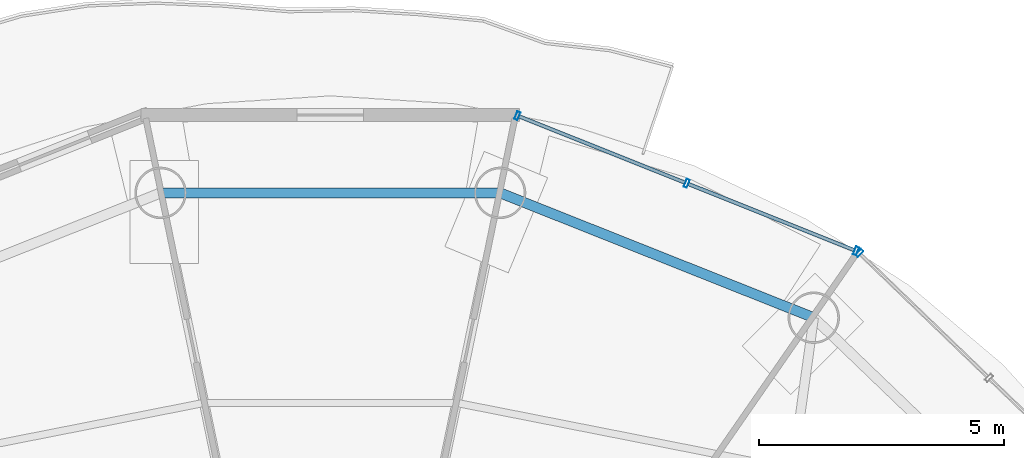
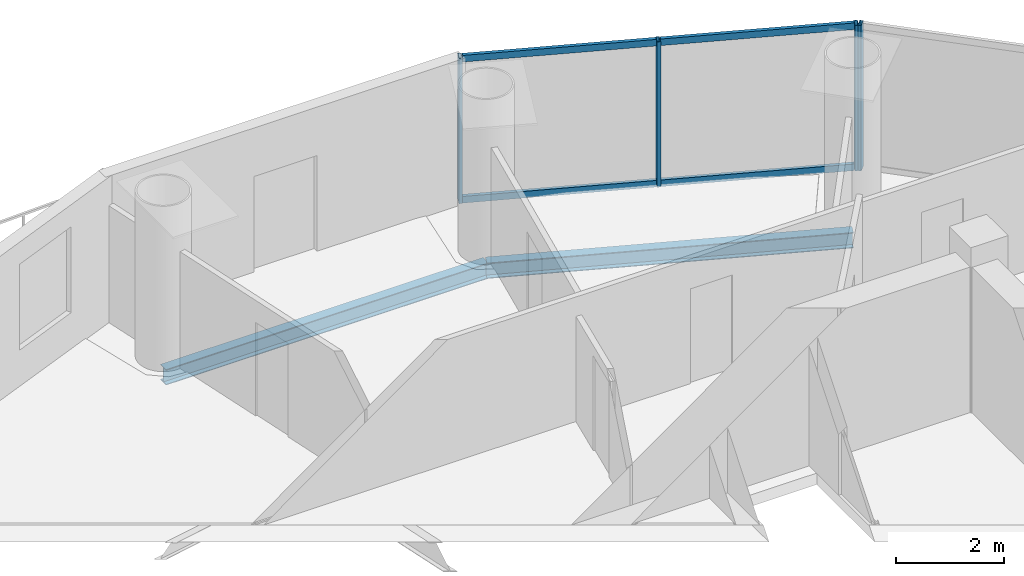
# One storey, part 15 of 23: 8 members, 2 beams, 2 elements without a shape of their own.
"""IFC4 building model written with IfcOpenShell, lengths in metres."""

import ifcopenshell
import ifcopenshell.guid

model = None  # the IFC model being written
_history = None  # IfcOwnerHistory: only IFC2X3 demands one
_inside = {}  # id of a spatial element -> (the spatial element, [elements in it])
_under = {}  # id of a project, library or spatial element -> (it, [spatial elements below it])
_declared = {}  # id of a project -> (the project, [libraries it declares])
_typed = {}  # id of a type object -> (the type object, [elements of that type])
_made_of = {}  # id of a material, layer set ... -> (it, [elements and type objects made of it])


def new_model(schema):
    """Start an empty IFC model of exactly this schema.

    Asked for "IFC4X3", IfcOpenShell would pick the latest addendum, in which some entities
    have other attributes; the version numbers below select the first issue.
    IFC2X3 requires an IfcOwnerHistory on every rooted entity: one is made here for all.
    """
    global model, _history
    if schema == "IFC4X3":
        model = ifcopenshell.file(schema_version=(4, 3, 0, 0))
    else:
        model = ifcopenshell.file(schema=schema)
    _inside.clear()
    _under.clear()
    _declared.clear()
    _typed.clear()
    _made_of.clear()
    _history = None
    if model.schema == "IFC2X3":
        org = make("IfcOrganization", Name="unknown")
        user = make(
            "IfcPersonAndOrganization",
            ThePerson=make("IfcPerson", FamilyName="unknown"),
            TheOrganization=org,
        )
        app = make(
            "IfcApplication",
            ApplicationDeveloper=org,
            Version="unknown",
            ApplicationFullName="unknown",
            ApplicationIdentifier="unknown",
        )
        _history = make(
            "IfcOwnerHistory",
            OwningUser=user,
            OwningApplication=app,
            ChangeAction="ADDED",
            CreationDate=0,
        )
    return model


def make(cls, **values):
    """One entity of the class cls with the attributes given. An attribute that is None is left unset."""
    return model.create_entity(
        cls, **{name: value for name, value in values.items() if value is not None}
    )


def rooted(cls, **values):
    """An entity with a GlobalId (a new one), such as an element, a storey or a relation."""
    return make(cls, GlobalId=ifcopenshell.guid.new(), OwnerHistory=_history, **values)


def si_unit(unit_type, name, prefix=None):
    """IfcSIUnit, for example si_unit("LENGTHUNIT", "METRE", prefix="MILLI")."""
    return make("IfcSIUnit", UnitType=unit_type, Prefix=prefix, Name=name)


def assignment(units):
    """IfcUnitAssignment: the units of a project."""
    return None if units is None else make("IfcUnitAssignment", Units=units)


def point(xyz):
    """IfcCartesianPoint."""
    return None if xyz is None else make("IfcCartesianPoint", Coordinates=xyz)


def direction(xyz):
    """IfcDirection."""
    return None if xyz is None else make("IfcDirection", DirectionRatios=xyz)


def frame(location, z_axis=None, x_axis=None):
    """IfcAxis2Placement3D, a coordinate frame: its origin and axes. An axis left out is left unset."""
    return make(
        "IfcAxis2Placement3D",
        Location=point(location),
        Axis=direction(z_axis),
        RefDirection=direction(x_axis),
    )


def frame_2d(location, x_axis=None):
    """IfcAxis2Placement2D, a coordinate frame in the plane: its origin and x axis."""
    return make(
        "IfcAxis2Placement2D", Location=point(location), RefDirection=direction(x_axis)
    )


def origin():
    """The frame at (0, 0, 0) with its axes left unset."""
    return frame((0.0, 0.0, 0.0))


def origin_2d():
    """The frame at (0, 0) in the plane with its x axis left unset."""
    return frame_2d((0.0, 0.0))


def place(relative_to, where):
    """IfcLocalPlacement: puts the frame where relative to a parent placement (None: the world)."""
    return make(
        "IfcLocalPlacement", PlacementRelTo=relative_to, RelativePlacement=where
    )


def context(
    kind, dimensions, precision=None, world=None, true_north=None, identifier=None
):
    """IfcGeometricRepresentationContext, for example the 3D "Model" context."""
    return make(
        "IfcGeometricRepresentationContext",
        ContextIdentifier=identifier,
        ContextType=kind,
        CoordinateSpaceDimension=dimensions,
        Precision=precision,
        WorldCoordinateSystem=world,
        TrueNorth=true_north,
    )


def subcontext(parent, identifier, kind, view, scale=None):
    """IfcGeometricRepresentationSubContext, for example "Body" below "Model"."""
    return make(
        "IfcGeometricRepresentationSubContext",
        ContextIdentifier=identifier,
        ContextType=kind,
        ParentContext=parent,
        TargetScale=scale,
        TargetView=view,
    )


def project(units=None, contexts=None):
    """IfcProject with its units and contexts."""
    return rooted(
        "IfcProject",
        Name="project",
        RepresentationContexts=contexts,
        UnitsInContext=assignment(units),
    )


def spatial(cls, under=None, at=None, **own):
    """A site, building, storey or space (cls), placed at a placement, below another one or the project."""
    s = rooted(cls, ObjectPlacement=at, **own)
    if under is not None:
        _under.setdefault(under.id(), (under, []))[1].append(s)
    return s


def profile(cls, at=None, kind="AREA", **sizes):
    """A parametric profile (cls). Its sizes go by their IFC names, for example OverallWidth=200.0."""
    return make(cls, ProfileType=kind, Position=at, **sizes)


def hollow_rectangle(**sizes):
    """IfcRectangleHollowProfileDef."""
    return profile("IfcRectangleHollowProfileDef", **sizes)


def i_section(**sizes):
    """IfcIShapeProfileDef."""
    return profile("IfcIShapeProfileDef", **sizes)


def extrude(swept, where, along, depth):
    """IfcExtrudedAreaSolid: the profile swept, set in the frame where, extruded along a direction by depth."""
    return make(
        "IfcExtrudedAreaSolid",
        SweptArea=swept,
        Position=where,
        ExtrudedDirection=direction(along),
        Depth=depth,
    )


def shape(context_of_items, identifier, shape_type, items):
    """IfcShapeRepresentation: the items that make up one representation, for example the "Body"."""
    return make(
        "IfcShapeRepresentation",
        ContextOfItems=context_of_items,
        RepresentationIdentifier=identifier,
        RepresentationType=shape_type,
        Items=items,
    )


def source(mapping_origin, context_of_items, identifier, shape_type, items):
    """IfcRepresentationMap: a shape defined once, which mapped items show again and again."""
    return make(
        "IfcRepresentationMap",
        MappingOrigin=mapping_origin,
        MappedRepresentation=shape(context_of_items, identifier, shape_type, items),
    )


def transform(
    local_origin,
    x_axis=None,
    y_axis=None,
    z_axis=None,
    scale=None,
    scale2=None,
    scale3=None,
    uniform=True,
):
    """IfcCartesianTransformationOperator3D, or its non-uniform kind. x_axis, y_axis, z_axis: its Axis1, 2, 3."""
    if uniform:
        return make(
            "IfcCartesianTransformationOperator3D",
            Axis1=direction(x_axis),
            Axis2=direction(y_axis),
            LocalOrigin=point(local_origin),
            Scale=scale,
            Axis3=direction(z_axis),
        )
    return make(
        "IfcCartesianTransformationOperator3DnonUniform",
        Axis1=direction(x_axis),
        Axis2=direction(y_axis),
        LocalOrigin=point(local_origin),
        Scale=scale,
        Axis3=direction(z_axis),
        Scale2=scale2,
        Scale3=scale3,
    )


def mapped(mapping_source, mapping_target):
    """IfcMappedItem: shows the shape of a source again, moved by a transform."""
    return make(
        "IfcMappedItem", MappingSource=mapping_source, MappingTarget=mapping_target
    )


def material(Name=None, Category=None):
    """IfcMaterial."""
    return make("IfcMaterial", Name=Name, Category=Category)


def material_profile(
    of_material, cross_section, Name=None, Category=None, Priority=None
):
    """IfcMaterialProfile: a cross section and its material."""
    return make(
        "IfcMaterialProfile",
        Name=Name,
        Material=of_material,
        Profile=cross_section,
        Priority=Priority,
        Category=Category,
    )


def profile_set(profiles, Name=None, composite=None):
    """IfcMaterialProfileSet."""
    return make(
        "IfcMaterialProfileSet",
        Name=Name,
        MaterialProfiles=profiles,
        CompositeProfile=composite,
    )


def made_of(thing, what):
    """Note that an element or type object is made of a material, layer set ...; save() writes the relation."""
    if what is not None:
        _made_of.setdefault(what.id(), (what, []))[1].append(thing)
    return thing


def type_object(cls, material=None, **own):
    """A type object (cls), such as IfcWallType, which elements share."""
    return made_of(rooted(cls, **own), material)


def element(
    cls,
    number,
    at=None,
    inside=None,
    cuts=None,
    type_object=None,
    material=None,
    context=None,
    identifier="Body",
    shape_type=None,
    held_by="IfcProductDefinitionShape",
    body=None,
    shapes=None,
    **own,
):
    """One element of the class cls, such as IfcWall. Its Tag is "e" and its number.

    at: its placement. inside: the storey or other place that contains it. cuts: it is an
    opening in that element (IfcRelVoidsElement). A single representation is given by context,
    identifier, shape_type and body (its items); several are given by shapes. held_by: the class
    of the entity that holds the representations. save() writes the other relations.
    """
    e = rooted(cls, Tag="e%d" % number, ObjectPlacement=at, **own)
    if body is not None:
        shapes = [shape(context, identifier, shape_type, body)]
    if shapes is not None:
        e.Representation = make(held_by, Representations=shapes)
    if inside is not None:
        _inside.setdefault(inside.id(), (inside, []))[1].append(e)
    if cuts is not None:
        rooted(
            "IfcRelVoidsElement", RelatingBuildingElement=cuts, RelatedOpeningElement=e
        )
    if type_object is not None:
        _typed.setdefault(type_object.id(), (type_object, []))[1].append(e)
    return made_of(e, material)


def aggregate(whole, parts):
    """IfcRelAggregates: a whole, such as a stair, and the parts it consists of."""
    return rooted("IfcRelAggregates", RelatingObject=whole, RelatedObjects=parts)


def save(model, path):
    """Write the relations noted so far, then the file.

    IfcRelAggregates (storeys below a building ...), IfcRelContainedInSpatialStructure (elements
    in a storey), IfcRelDefinesByType, IfcRelAssociatesMaterial and IfcRelDeclares: one each for
    every whole, place, type object, material and project.
    """
    for whole, parts in _under.values():
        aggregate(whole, parts)
    for where, things in _inside.values():
        rooted(
            "IfcRelContainedInSpatialStructure",
            RelatedElements=things,
            RelatingStructure=where,
        )
    for kind, things in _typed.values():
        rooted("IfcRelDefinesByType", RelatedObjects=things, RelatingType=kind)
    for what, things in _made_of.values():
        rooted("IfcRelAssociatesMaterial", RelatedObjects=things, RelatingMaterial=what)
    for by, libraries in _declared.values():
        rooted("IfcRelDeclares", RelatingContext=by, RelatedDefinitions=libraries)
    model.write(path)


model = new_model("IFC4")

# Units and contexts
model_context = context("Model", 3, precision=1e-05, world=origin(), true_north=direction((-0.2419218956, 0.970295726276)))
body_context = subcontext(model_context, "Body", "Model", "MODEL_VIEW")
ifc_project = project(units=[si_unit("LENGTHUNIT", "METRE"), si_unit("AREAUNIT", "SQUARE_METRE"), si_unit("VOLUMEUNIT", "CUBIC_METRE"), si_unit("PLANEANGLEUNIT", "RADIAN"), si_unit("MASSUNIT", "GRAM", prefix="KILO")], contexts=[model_context])

# Site, building, storey
site_placement = place(None, origin())
site = spatial("IfcSite", under=ifc_project, at=site_placement, CompositionType="ELEMENT")
building_placement = place(site_placement, origin())
building = spatial("IfcBuilding", under=site, at=building_placement, Name="Cobrevalo Terracotta Tower", CompositionType="ELEMENT")
storey_placement = place(building_placement, frame((0.0, 0.0, 296.949951171875)))
storey = spatial("IfcBuildingStorey", under=building, at=storey_placement, Name="L78", CompositionType="ELEMENT", Elevation=296.949951171875)

# Beams
ifc_material_1 = material(Name="Steel S355", Category="steel")
ifc_material_profile_1 = material_profile(ifc_material_1, i_section(OverallWidth=0.205078125, OverallDepth=0.35400390625, WebThickness=0.009521484375, FlangeThickness=0.016845703125, at=origin_2d()), Name="W 360x79")
ifc_profile_set_1 = profile_set([ifc_material_profile_1], Name="Steel S355")
beam_type = type_object("IfcBeamType", Name="Structural Spandrel W 360x79 (Steel S355)", PredefinedType="SPANDREL", material=ifc_profile_set_1)
beam_1_placement = place(storey_placement, frame((47.861328125, 40.9765625, -0.43701171875), z_axis=(-0.929149986048, 0.369702993533, 0.0), x_axis=(-0.369702993533, -0.929149986048, 0.0)))
element("IfcBeam", 1, at=beam_1_placement, inside=storey, type_object=beam_type, Name="L78 perimeter ring spandrel 03", PredefinedType="SPANDREL", context=body_context, shape_type="SweptSolid", body=[
    extrude(i_section(OverallWidth=0.205078125, OverallDepth=0.35400390625, WebThickness=0.009521484375, FlangeThickness=0.016845703125, at=origin_2d()), origin(), (0.0, 0.0, 1.0), 6.88623046875),
])
beam_2_placement = place(storey_placement, frame((41.462890625, 43.5224609375, -0.43701171875), z_axis=(-1.0, 0.0, 0.0), x_axis=(0.0, -1.0, 0.0)))
element("IfcBeam", 2, at=beam_2_placement, inside=storey, type_object=beam_type, Name="L78 perimeter ring spandrel 04", PredefinedType="SPANDREL", context=body_context, shape_type="SweptSolid", body=[
    extrude(i_section(OverallWidth=0.205078125, OverallDepth=0.35400390625, WebThickness=0.009521484375, FlangeThickness=0.016845703125, at=origin_2d()), origin(), (0.0, 0.0, 1.0), 6.92578125),
])

# Curtain wall, members
ifc_material_2 = material(Name="Anodized aluminium", Category="aluminium")
curtain_wall_type = type_object("IfcCurtainWallType", Name="Upper-tower triple-glazed penthouse curtain wall CW-U3", PredefinedType="NOTDEFINED", material=ifc_material_2)
curtain_wall_1_placement = place(storey_placement, origin())
curtain_wall_1 = element("IfcCurtainWall", 3, at=curtain_wall_1_placement, inside=storey, type_object=curtain_wall_type, Name="L78 curtain wall CW-L78-S03", PredefinedType="NOTDEFINED")
ifc_material_profile_2 = material_profile(ifc_material_2, hollow_rectangle(XDim=0.074951171875, YDim=0.14990234375, WallThickness=0.00439453125, at=origin_2d()), Name="CWT 75x150")
ifc_profile_set_2 = profile_set([ifc_material_profile_2], Name="Anodized aluminium")
member_type_1 = type_object("IfcMemberType", Name="Tower unitised aluminium transom 75x150", PredefinedType="USERDEFINED", material=ifc_profile_set_2)
shared_shape_1 = source(origin(), body_context, "Body", "SweptSolid", [
    extrude(hollow_rectangle(XDim=0.074951171875, YDim=0.14990234375, WallThickness=0.00439453125, at=origin_2d()), origin(), (0.0, 0.0, 1.0), 3.63916015625),
])
member_1_placement = place(storey_placement, frame((48.68701171875, 42.353271484375, 0.050048828125), z_axis=(-0.928712471544, 0.370800681227, 0.0), x_axis=(-0.370800681227, -0.928712471544, 0.0)))
member_1 = element("IfcMember", 4, at=member_1_placement, type_object=member_type_1, Name="CW-L78-S03 transom B01-T1", ObjectType="TRANSOM", PredefinedType="USERDEFINED", context=body_context, shape_type="MappedRepresentation", body=[
    mapped(shared_shape_1, transform((0.0, 0.0, 0.0), scale=1.0)),
])
member_2_placement = place(storey_placement, frame((48.68701171875, 42.353271484375, 3.25), z_axis=(-0.928712471544, 0.370800681227, 0.0), x_axis=(-0.370800681227, -0.928712471544, 0.0)))
member_2 = element("IfcMember", 5, at=member_2_placement, type_object=member_type_1, Name="CW-L78-S03 transom B01-T2", ObjectType="TRANSOM", PredefinedType="USERDEFINED", context=body_context, shape_type="MappedRepresentation", body=[
    mapped(shared_shape_1, transform((0.0, 0.0, 0.0), scale=1.0)),
])
member_3_placement = place(storey_placement, frame((45.23291015625, 43.732177734375, 0.050048828125), z_axis=(-0.928712471544, 0.370800681227, 0.0), x_axis=(-0.370800681227, -0.928712471544, 0.0)))
member_3 = element("IfcMember", 6, at=member_3_placement, type_object=member_type_1, Name="CW-L78-S03 transom B02-T1", ObjectType="TRANSOM", PredefinedType="USERDEFINED", context=body_context, shape_type="MappedRepresentation", body=[
    mapped(shared_shape_1, transform((0.0, 0.0, 0.0), scale=1.0)),
])
member_4_placement = place(storey_placement, frame((45.23291015625, 43.732177734375, 3.25), z_axis=(-0.928712471544, 0.370800681227, 0.0), x_axis=(-0.370800681227, -0.928712471544, 0.0)))
member_4 = element("IfcMember", 7, at=member_4_placement, type_object=member_type_1, Name="CW-L78-S03 transom B02-T2", ObjectType="TRANSOM", PredefinedType="USERDEFINED", context=body_context, shape_type="MappedRepresentation", body=[
    mapped(shared_shape_1, transform((0.0, 0.0, 0.0), scale=1.0)),
])

# Curtain wall, member
curtain_wall_2_placement = place(storey_placement, origin())
curtain_wall_2 = element("IfcCurtainWall", 8, at=curtain_wall_2_placement, inside=storey, type_object=curtain_wall_type, Name="L78 curtain wall CW-L78-S02", PredefinedType="NOTDEFINED")
ifc_material_profile_3 = material_profile(ifc_material_2, hollow_rectangle(XDim=0.070068359375, YDim=0.169921875, WallThickness=0.00439453125, at=origin_2d()), Name="CWM 70x170")
ifc_profile_set_3 = profile_set([ifc_material_profile_3], Name="Anodized aluminium")
member_type_2 = type_object("IfcMemberType", Name="Upper tower unitised mullion 70x170", PredefinedType="MULLION", material=ifc_profile_set_3)
shared_shape_2 = source(origin(), body_context, "Body", "SweptSolid", [
    extrude(hollow_rectangle(XDim=0.070068359375, YDim=0.169921875, WallThickness=0.00439453125, at=origin_2d()), origin(), (0.0, 0.0, 1.0), 3.300048828125),
])
member_5_placement = place(storey_placement, frame((48.790283203125, 42.2958984375, 0.0), z_axis=(0.0, 0.0, 1.0), x_axis=(-0.71999418085, 0.69398010025, 0.0)))
member_5 = element("IfcMember", 9, at=member_5_placement, type_object=member_type_2, Name="CW-L78-S02 vertical mullion 03", PredefinedType="MULLION", context=body_context, shape_type="MappedRepresentation", body=[
    mapped(shared_shape_2, transform((0.0, 0.0, 0.0), scale=1.0)),
])
aggregate(curtain_wall_2, [member_5])

# Member
member_6_placement = place(storey_placement, frame((48.724365234375, 42.33837890625, 0.0), z_axis=(0.0, 0.0, 1.0), x_axis=(-0.928718980883, 0.370784377433, 0.0)))
member_6 = element("IfcMember", 10, at=member_6_placement, type_object=member_type_2, Name="CW-L78-S03 vertical mullion 01", PredefinedType="MULLION", context=body_context, shape_type="MappedRepresentation", body=[
    mapped(shared_shape_2, transform((0.0, 0.0, 0.0), scale=1.0)),
])

member_7_placement = place(storey_placement, frame((45.270263671875, 43.71728515625, 0.0), z_axis=(0.0, 0.0, 1.0), x_axis=(-0.928718980883, 0.370784377433, 0.0)))
member_7 = element("IfcMember", 11, at=member_7_placement, type_object=member_type_2, Name="CW-L78-S03 vertical mullion 02", PredefinedType="MULLION", context=body_context, shape_type="MappedRepresentation", body=[
    mapped(shared_shape_2, transform((0.0, 0.0, 0.0), scale=1.0)),
])

member_8_placement = place(storey_placement, frame((41.816162109375, 45.096435546875, 0.0), z_axis=(0.0, 0.0, 1.0), x_axis=(-0.928718980883, 0.370784377433, 0.0)))
member_8 = element("IfcMember", 12, at=member_8_placement, type_object=member_type_2, Name="CW-L78-S03 vertical mullion 03", PredefinedType="MULLION", context=body_context, shape_type="MappedRepresentation", body=[
    mapped(shared_shape_2, transform((0.0, 0.0, 0.0), scale=1.0)),
])

aggregate(curtain_wall_1, [member_6, member_7, member_8, member_1, member_2, member_3, member_4])

save(model, "model.ifc")
